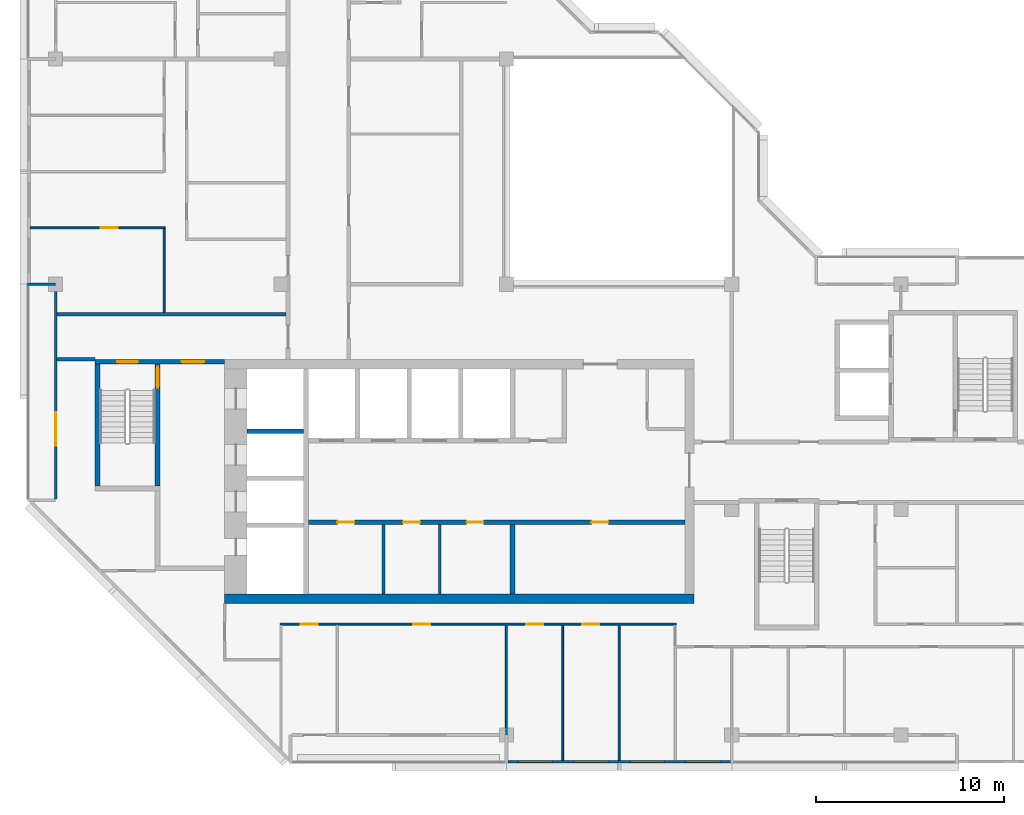
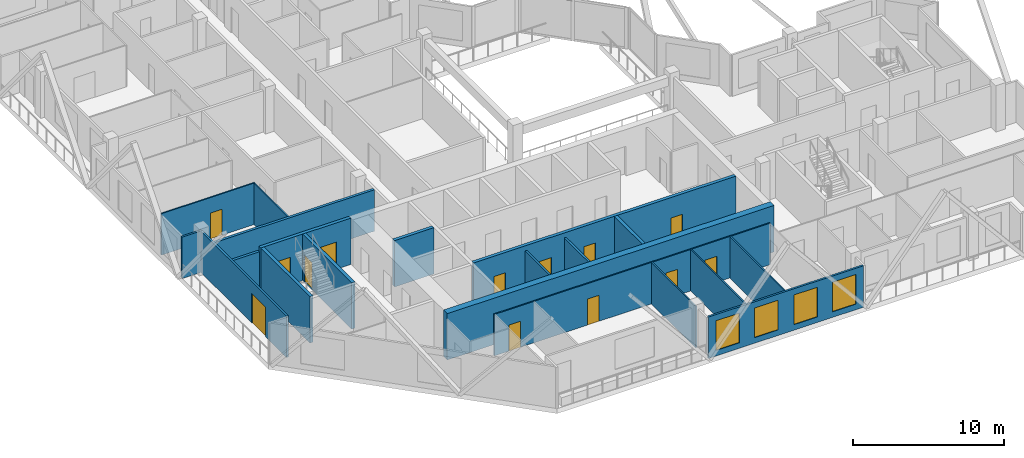
# One storey, part 4 of 12: 20 walls, 13 doors, 4 windows, 17 openings.
"""IFC4 building model written with IfcOpenShell, lengths in metres."""

from ifc_helpers import new_model, si_unit, direction, frame, frame_2d, origin, place, context, subcontext, project, spatial, rectangle, extrude, material, layer, layer_set, type_object, element, fill, save


model = new_model("IFC4")

# Units and contexts
model_context = context("Model", 3, precision=1e-05, world=origin(), true_north=direction((0.0, 1.0)))
body_context = subcontext(model_context, "Body", "Model", "MODEL_VIEW")
ifc_project = project(units=[si_unit("LENGTHUNIT", "METRE"), si_unit("AREAUNIT", "SQUARE_METRE"), si_unit("VOLUMEUNIT", "CUBIC_METRE"), si_unit("PLANEANGLEUNIT", "RADIAN"), si_unit("MASSUNIT", "GRAM", prefix="KILO")], contexts=[model_context])

# Site, building, storey
site_placement = place(None, origin())
site = spatial("IfcSite", under=ifc_project, at=site_placement, CompositionType="ELEMENT")
building_placement = place(site_placement, origin())
building = spatial("IfcBuilding", under=site, at=building_placement, Name="Chenar Terraces", CompositionType="ELEMENT")
storey_placement = place(building_placement, frame((0.0, 0.0, 361.39990234375)))
storey = spatial("IfcBuildingStorey", under=building, at=storey_placement, Name="L84", CompositionType="ELEMENT", Elevation=361.39990234375)

# Walls
ifc_material_1 = material(Name="Gypsum board on steel studs", Category="steel")
ifc_layer_1 = layer(ifc_material_1, 0.14990234375)
ifc_layer_set_1 = layer_set([ifc_layer_1], Name="Gypsum board on steel studs")
wall_type_1 = type_object("IfcWallType", Name="Core partition 150 gypsum board", PredefinedType="PARTITIONING", material=ifc_layer_set_1)
for number, where, z_axis, x_axis, name in (
    (1, (17.449951171875, 7.5, 0.0), (0.0, 0.0, 1.0), (0.0, 1.0, 0.0), "Core partition CP1 freed bay wall"),
    (2, (20.449951171875, 7.5, 0.0), (0.0, 0.0, 1.0), (0.0, 1.0, 0.0), "Core partition CP1 freed bay wall"),
):
    element("IfcWall", number, at=place(storey_placement, frame(where, z_axis=z_axis, x_axis=x_axis)), inside=storey, type_object=wall_type_1, Name=name, PredefinedType="PARTITIONING", context=body_context, shape_type="SweptSolid", body=[
        extrude(rectangle(XDim=3.699951171875, YDim=0.14990234375, at=frame_2d((1.85009765625, 0.0))), origin(), (0.0, 0.0, 1.0), 3.35009765625),
    ])

# Wall, openings, doors
ifc_material_2 = material(Name="Concrete C50/60", Category="concrete")
ifc_layer_2 = layer(ifc_material_2, 0.25)
ifc_layer_set_2 = layer_set([ifc_layer_2], Name="Concrete C50/60")
wall_type_2 = type_object("IfcWallType", Name="Core wall 250 Concrete C50/60", PredefinedType="SHEAR", material=ifc_layer_set_2)
wall_1_placement = place(storey_placement, frame((13.449951171875, 11.324951171875, 0.0), z_axis=(0.0, 0.0, 1.0), x_axis=(1.0, 0.0, 0.0)))
wall_1 = element("IfcWall", 3, at=wall_1_placement, inside=storey, type_object=wall_type_2, Name="Core wall SF L84", PredefinedType="SHEAR", context=body_context, shape_type="SweptSolid", body=[
    extrude(rectangle(XDim=20.050048828125, YDim=0.25, at=frame_2d((10.02490234375, 0.0))), origin(), (0.0, 0.0, 1.0), 3.75),
])
opening_1_placement = place(wall_1_placement, frame((1.550048828125, 0.0, 0.0)))
opening_1 = element("IfcOpeningElement", 4, at=opening_1_placement, cuts=wall_1, Name="Opening DL84-C12", PredefinedType="OPENING", context=body_context, shape_type="SweptSolid", body=[
    extrude(rectangle(XDim=0.89990234375, YDim=2.10009765625, at=frame_2d((0.449951171875, 1.050048828125))), frame((0.0, 0.135009765625, 0.0), z_axis=(0.0, -1.0, 0.0), x_axis=(1.0, 0.0, 0.0)), (0.0, 0.0, 1.0), 0.27001953125),
])
opening_2_placement = place(wall_1_placement, frame((5.050048828125, 0.0, 0.0)))
opening_2 = element("IfcOpeningElement", 5, at=opening_2_placement, cuts=wall_1, Name="Opening DL84-C13", PredefinedType="OPENING", context=body_context, shape_type="SweptSolid", body=[
    extrude(rectangle(XDim=0.89990234375, YDim=2.10009765625, at=frame_2d((0.449951171875, 1.050048828125))), frame((0.0, 0.135009765625, 0.0), z_axis=(0.0, -1.0, 0.0), x_axis=(1.0, 0.0, 0.0)), (0.0, 0.0, 1.0), 0.27001953125),
])
opening_3_placement = place(wall_1_placement, frame((8.425048828125, 0.0, 0.0)))
opening_3 = element("IfcOpeningElement", 6, at=opening_3_placement, cuts=wall_1, Name="Opening DL84-C14", PredefinedType="OPENING", context=body_context, shape_type="SweptSolid", body=[
    extrude(rectangle(XDim=0.89990234375, YDim=2.10009765625, at=frame_2d((0.449951171875, 1.050048828125))), frame((0.0, 0.135009765625, 0.0), z_axis=(0.0, -1.0, 0.0), x_axis=(1.0, 0.0, 0.0)), (0.0, 0.0, 1.0), 0.27001953125),
])
opening_4_placement = place(wall_1_placement, frame((15.074951171875, 0.0, 0.0)))
opening_4 = element("IfcOpeningElement", 7, at=opening_4_placement, cuts=wall_1, Name="Opening DL84-C15", PredefinedType="OPENING", context=body_context, shape_type="SweptSolid", body=[
    extrude(rectangle(XDim=0.89990234375, YDim=2.10009765625, at=frame_2d((0.449951171875, 1.050048828125))), frame((0.0, 0.135009765625, 0.0), z_axis=(0.0, -1.0, 0.0), x_axis=(1.0, 0.0, 0.0)), (0.0, 0.0, 1.0), 0.27001953125),
])
ifc_material_3 = material(Name="Steel-framed fire-resisting door leaf", Category="steel")
door_type_1 = type_object("IfcDoorType", Name="Riser fire door FD60 900 x 2100", OperationType="SINGLE_SWING_LEFT", PredefinedType="DOOR", material=ifc_material_3)
door_1_placement = place(opening_1_placement, frame((0.89990234375, 0.0, 0.0), z_axis=(0.0, 0.0, 1.0), x_axis=(-1.0, 0.0, 0.0)))
door_1 = element("IfcDoor", 8, at=door_1_placement, inside=storey, type_object=door_type_1, Name="Core room door DL84-C12", OperationType="SINGLE_SWING_LEFT", OverallHeight=2.10009765625, OverallWidth=0.89990234375, PredefinedType="DOOR", context=body_context, shape_type="SweptSolid", body=[
    extrude(rectangle(XDim=0.89990234375, YDim=2.10009765625, at=frame_2d((0.449951171875, 1.050048828125))), frame((0.0, 0.02490234375, 0.0), z_axis=(0.0, -1.0, 0.0), x_axis=(1.0, 0.0, 0.0)), (0.0, 0.0, 1.0), 0.050048828125),
])
fill(opening_1, door_1)
door_2_placement = place(opening_2_placement, frame((0.89990234375, 0.0, 0.0), z_axis=(0.0, 0.0, 1.0), x_axis=(-1.0, 0.0, 0.0)))
door_2 = element("IfcDoor", 9, at=door_2_placement, inside=storey, type_object=door_type_1, Name="Core room door DL84-C13", OperationType="SINGLE_SWING_LEFT", OverallHeight=2.10009765625, OverallWidth=0.89990234375, PredefinedType="DOOR", context=body_context, shape_type="SweptSolid", body=[
    extrude(rectangle(XDim=0.89990234375, YDim=2.10009765625, at=frame_2d((0.449951171875, 1.050048828125))), frame((0.0, 0.02490234375, 0.0), z_axis=(0.0, -1.0, 0.0), x_axis=(1.0, 0.0, 0.0)), (0.0, 0.0, 1.0), 0.050048828125),
])
fill(opening_2, door_2)
door_3_placement = place(opening_3_placement, frame((0.89990234375, 0.0, 0.0), z_axis=(0.0, 0.0, 1.0), x_axis=(-1.0, 0.0, 0.0)))
door_3 = element("IfcDoor", 10, at=door_3_placement, inside=storey, type_object=door_type_1, Name="Core room door DL84-C14", OperationType="SINGLE_SWING_RIGHT", OverallHeight=2.10009765625, OverallWidth=0.89990234375, PredefinedType="DOOR", context=body_context, shape_type="SweptSolid", body=[
    extrude(rectangle(XDim=0.89990234375, YDim=2.10009765625, at=frame_2d((0.449951171875, 1.050048828125))), frame((0.0, 0.02490234375, 0.0), z_axis=(0.0, -1.0, 0.0), x_axis=(1.0, 0.0, 0.0)), (0.0, 0.0, 1.0), 0.050048828125),
])
fill(opening_3, door_3)
door_4_placement = place(opening_4_placement, frame((0.89990234375, 0.0, 0.0), z_axis=(0.0, 0.0, 1.0), x_axis=(-1.0, 0.0, 0.0)))
door_4 = element("IfcDoor", 11, at=door_4_placement, inside=storey, type_object=door_type_1, Name="Core room door DL84-C15", OperationType="SINGLE_SWING_RIGHT", OverallHeight=2.10009765625, OverallWidth=0.89990234375, PredefinedType="DOOR", context=body_context, shape_type="SweptSolid", body=[
    extrude(rectangle(XDim=0.89990234375, YDim=2.10009765625, at=frame_2d((0.449951171875, 1.050048828125))), frame((0.0, 0.02490234375, 0.0), z_axis=(0.0, -1.0, 0.0), x_axis=(1.0, 0.0, 0.0)), (0.0, 0.0, 1.0), 0.050048828125),
])
fill(opening_4, door_4)

# Walls
wall_2_placement = place(storey_placement, frame((10.199951171875, 16.175048828125, 0.0), z_axis=(0.0, 0.0, 1.0), x_axis=(1.0, 0.0, 0.0)))
element("IfcWall", 12, at=wall_2_placement, inside=storey, type_object=wall_type_2, Name="Core wall HW2 L84", PredefinedType="SHEAR", context=body_context, shape_type="SweptSolid", body=[
    extrude(rectangle(XDim=3.0, YDim=0.25, at=frame_2d((1.5, 0.0))), origin(), (0.0, 0.0, 1.0), 3.75),
])
wall_3_placement = place(storey_placement, frame((24.324951171875, 7.5, 0.0), z_axis=(0.0, 0.0, 1.0), x_axis=(0.0, 1.0, 0.0)))
element("IfcWall", 13, at=wall_3_placement, inside=storey, type_object=wall_type_2, Name="Core wall SS3 L84", PredefinedType="SHEAR", context=body_context, shape_type="SweptSolid", body=[
    extrude(rectangle(XDim=3.699951171875, YDim=0.25, at=frame_2d((1.85009765625, 0.0))), origin(), (0.0, 0.0, 1.0), 3.75),
])

# Wall, openings, doors
wall_4_placement = place(storey_placement, frame((2.10009765625, 19.875, 0.0), z_axis=(0.0, 0.0, 1.0), x_axis=(1.0, 0.0, 0.0)))
wall_4 = element("IfcWall", 14, at=wall_4_placement, inside=storey, type_object=wall_type_2, Name="Core wall A_N L84", PredefinedType="SHEAR", context=body_context, shape_type="SweptSolid", body=[
    extrude(rectangle(XDim=6.89990234375, YDim=0.25, at=frame_2d((3.449951171875, 0.0))), origin(), (0.0, 0.0, 1.0), 3.75),
])
opening_5_placement = place(wall_4_placement, frame((1.175048828125, 0.0, 0.0)))
opening_5 = element("IfcOpeningElement", 15, at=opening_5_placement, cuts=wall_4, Name="Opening DL84-C5", PredefinedType="OPENING", context=body_context, shape_type="SweptSolid", body=[
    extrude(rectangle(XDim=1.10009765625, YDim=2.199951171875, at=frame_2d((0.550048828125, 1.10009765625))), frame((0.0, 0.135009765625, 0.0), z_axis=(0.0, -1.0, 0.0), x_axis=(1.0, 0.0, 0.0)), (0.0, 0.0, 1.0), 0.27001953125),
])
opening_6_placement = place(wall_4_placement, frame((4.60009765625, 0.0, 0.0)))
opening_6 = element("IfcOpeningElement", 16, at=opening_6_placement, cuts=wall_4, Name="Opening DL84-C6", PredefinedType="OPENING", context=body_context, shape_type="SweptSolid", body=[
    extrude(rectangle(XDim=1.199951171875, YDim=2.199951171875, at=frame_2d((0.60009765625, 1.10009765625))), frame((0.0, 0.135009765625, 0.0), z_axis=(0.0, -1.0, 0.0), x_axis=(1.0, 0.0, 0.0)), (0.0, 0.0, 1.0), 0.27001953125),
])
ifc_material_4 = material(Name="Steel-framed fire-resisting door leaf", Category="steel")
door_type_2 = type_object("IfcDoorType", Name="Lobby fire door FD60 1200 x 2200", OperationType="SINGLE_SWING_LEFT", PredefinedType="DOOR", material=ifc_material_4)
door_5_placement = place(opening_6_placement, frame((1.199951171875, 0.0, 0.0), z_axis=(0.0, 0.0, 1.0), x_axis=(-1.0, 0.0, 0.0)))
door_5 = element("IfcDoor", 17, at=door_5_placement, inside=storey, type_object=door_type_2, Name="Core door DL84-C6", OperationType="SINGLE_SWING_LEFT", OverallHeight=2.199951171875, OverallWidth=1.199951171875, PredefinedType="DOOR", context=body_context, shape_type="SweptSolid", body=[
    extrude(rectangle(XDim=1.199951171875, YDim=2.199951171875, at=frame_2d((0.60009765625, 1.10009765625))), frame((0.0, 0.02490234375, 0.0), z_axis=(0.0, -1.0, 0.0), x_axis=(1.0, 0.0, 0.0)), (0.0, 0.0, 1.0), 0.050048828125),
])
fill(opening_6, door_5)
ifc_material_5 = material(Name="Steel-framed fire-resisting door leaf", Category="steel")
door_type_3 = type_object("IfcDoorType", Name="Stair fire door FD60 1100 x 2200", OperationType="SINGLE_SWING_LEFT", PredefinedType="DOOR", material=ifc_material_5)
door_6_placement = place(opening_5_placement, origin())
door_6 = element("IfcDoor", 18, at=door_6_placement, inside=storey, type_object=door_type_3, Name="Stair door DL84-C5", OperationType="SINGLE_SWING_LEFT", OverallHeight=2.199951171875, OverallWidth=1.10009765625, PredefinedType="DOOR", context=body_context, shape_type="SweptSolid", body=[
    extrude(rectangle(XDim=1.10009765625, YDim=2.199951171875, at=frame_2d((0.550048828125, 1.10009765625))), frame((0.0, 0.02490234375, 0.0), z_axis=(0.0, -1.0, 0.0), x_axis=(1.0, 0.0, 0.0)), (0.0, 0.0, 1.0), 0.050048828125),
])
fill(opening_5, door_6)

# Wall
wall_5_placement = place(storey_placement, frame((2.22509765625, 13.25, 0.0), z_axis=(0.0, 0.0, 1.0), x_axis=(0.0, 1.0, 0.0)))
element("IfcWall", 19, at=wall_5_placement, inside=storey, type_object=wall_type_2, Name="Core wall ST1_W L84", PredefinedType="SHEAR", context=body_context, shape_type="SweptSolid", body=[
    extrude(rectangle(XDim=6.5, YDim=0.25, at=frame_2d((3.25, 0.0))), origin(), (0.0, 0.0, 1.0), 3.75),
])

# Wall, opening, door
wall_6_placement = place(storey_placement, frame((5.425048828125, 13.25, 0.0), z_axis=(0.0, 0.0, 1.0), x_axis=(0.0, 1.0, 0.0)))
wall_6 = element("IfcWall", 20, at=wall_6_placement, inside=storey, type_object=wall_type_2, Name="Core wall ST1_E L84", PredefinedType="SHEAR", context=body_context, shape_type="SweptSolid", body=[
    extrude(rectangle(XDim=6.5, YDim=0.25, at=frame_2d((3.25, 0.0))), origin(), (0.0, 0.0, 1.0), 3.75),
])
opening_7_placement = place(wall_6_placement, frame((5.25, 0.0, 0.0)))
opening_7 = element("IfcOpeningElement", 21, at=opening_7_placement, cuts=wall_6, Name="Opening DL84-C3", PredefinedType="OPENING", context=body_context, shape_type="SweptSolid", body=[
    extrude(rectangle(XDim=1.10009765625, YDim=2.199951171875, at=frame_2d((0.550048828125, 1.10009765625))), frame((0.0, 0.135009765625, 0.0), z_axis=(0.0, -1.0, 0.0), x_axis=(1.0, 0.0, 0.0)), (0.0, 0.0, 1.0), 0.27001953125),
])
door_7_placement = place(opening_7_placement, origin())
door_7 = element("IfcDoor", 22, at=door_7_placement, inside=storey, type_object=door_type_3, Name="Stair door DL84-C3", OperationType="SINGLE_SWING_RIGHT", OverallHeight=2.199951171875, OverallWidth=1.10009765625, PredefinedType="DOOR", context=body_context, shape_type="SweptSolid", body=[
    extrude(rectangle(XDim=1.10009765625, YDim=2.199951171875, at=frame_2d((0.550048828125, 1.10009765625))), frame((0.0, 0.02490234375, 0.0), z_axis=(0.0, -1.0, 0.0), x_axis=(1.0, 0.0, 0.0)), (0.0, 0.0, 1.0), 0.050048828125),
])
fill(opening_7, door_7)

# Walls
ifc_material_6 = material(Name="Concrete C50/60", Category="concrete")
ifc_layer_3 = layer(ifc_material_6, 0.5)
ifc_layer_set_3 = layer_set([ifc_layer_3], Name="Concrete C50/60")
wall_type_3 = type_object("IfcWallType", Name="Core wall 500 Concrete C50/60", PredefinedType="SHEAR", material=ifc_layer_set_3)
wall_7_placement = place(storey_placement, frame((9.0, 7.25, 0.0), z_axis=(0.0, 0.0, 1.0), x_axis=(1.0, 0.0, 0.0)))
element("IfcWall", 23, at=wall_7_placement, inside=storey, type_object=wall_type_3, Name="Core wall S L84", PredefinedType="SHEAR", context=body_context, shape_type="SweptSolid", body=[
    extrude(rectangle(XDim=25.0, YDim=0.5, at=frame_2d((12.5, 0.0))), origin(), (0.0, 0.0, 1.0), 3.75),
])
ifc_material_7 = material(Name="Gypsum board on steel studs with fire boards", Category="steel")
ifc_layer_4 = layer(ifc_material_7, 0.199951171875)
ifc_layer_set_4 = layer_set([ifc_layer_4], Name="Gypsum board on steel studs with fire boards")
wall_type_4 = type_object("IfcWallType", Name="Corridor wall 200", PredefinedType="PARTITIONING", material=ifc_layer_set_4)
wall_8_placement = place(storey_placement, frame((0.073974609375, 20.0, 0.0), z_axis=(0.0, 0.0, 1.0), x_axis=(1.0, 0.0, 0.0)))
element("IfcWall", 24, at=wall_8_placement, inside=storey, type_object=wall_type_4, Name="Partition L84-007", PredefinedType="PARTITIONING", context=body_context, shape_type="SweptSolid", body=[
    extrude(rectangle(XDim=2.026123046875, YDim=0.199951171875, at=frame_2d((1.01318359375, 0.0))), origin(), (0.0, 0.0, 1.0), 3.35009765625),
])
wall_9_placement = place(storey_placement, frame((0.073974609375, 22.39990234375, 0.0), z_axis=(0.0, 0.0, 1.0), x_axis=(1.0, 0.0, 0.0)))
element("IfcWall", 25, at=wall_9_placement, inside=storey, type_object=wall_type_4, Name="Partition L84-008", PredefinedType="PARTITIONING", context=body_context, shape_type="SweptSolid", body=[
    extrude(rectangle(XDim=12.200927734375, YDim=0.199951171875, at=frame_2d((6.1005859375, 0.0))), origin(), (0.0, 0.0, 1.0), 3.35009765625),
])

# Wall, openings, windows
ifc_material_8 = material(Name="Aluminium framed glazing", Category="aluminium")
ifc_layer_5 = layer(ifc_material_8, 0.14990234375)
ifc_layer_set_5 = layer_set([ifc_layer_5], Name="Aluminium framed glazing")
wall_type_5 = type_object("IfcWallType", Name="Glazed flush facade wall 150", PredefinedType="SOLIDWALL", material=ifc_layer_set_5)
wall_10_placement = place(storey_placement, frame((24.074951171875, -1.425048828125, 0.0), z_axis=(0.0, 0.0, 1.0), x_axis=(1.0, 0.0, 0.0)))
wall_10 = element("IfcWall", 26, at=wall_10_placement, inside=storey, type_object=wall_type_5, Name="Glazed flush facade wall", PredefinedType="SOLIDWALL", context=body_context, shape_type="SweptSolid", body=[
    extrude(rectangle(XDim=11.85009765625, YDim=0.14990234375, at=frame_2d((5.925048828125, 0.0))), origin(), (0.0, 0.0, 1.0), 3.35009765625),
])
opening_8_placement = place(wall_10_placement, frame((0.5625, 0.0, 0.449951171875)))
opening_8 = element("IfcOpeningElement", 27, at=opening_8_placement, cuts=wall_10, Name="Opening W180x240", PredefinedType="OPENING", context=body_context, shape_type="SweptSolid", body=[
    extrude(rectangle(XDim=1.800048828125, YDim=2.39990234375, at=frame_2d((0.89990234375, 1.199951171875))), frame((0.0, 0.0849609375, 0.0), z_axis=(0.0, -1.0, 0.0), x_axis=(1.0, 0.0, 0.0)), (0.0, 0.0, 1.0), 0.169921875),
])
opening_9_placement = place(wall_10_placement, frame((3.52490234375, 0.0, 0.449951171875)))
opening_9 = element("IfcOpeningElement", 28, at=opening_9_placement, cuts=wall_10, Name="Opening W180x240", PredefinedType="OPENING", context=body_context, shape_type="SweptSolid", body=[
    extrude(rectangle(XDim=1.800048828125, YDim=2.39990234375, at=frame_2d((0.89990234375, 1.199951171875))), frame((0.0, 0.0849609375, 0.0), z_axis=(0.0, -1.0, 0.0), x_axis=(1.0, 0.0, 0.0)), (0.0, 0.0, 1.0), 0.169921875),
])
opening_10_placement = place(wall_10_placement, frame((6.52490234375, 0.0, 0.449951171875)))
opening_10 = element("IfcOpeningElement", 29, at=opening_10_placement, cuts=wall_10, Name="Opening W180x240", PredefinedType="OPENING", context=body_context, shape_type="SweptSolid", body=[
    extrude(rectangle(XDim=1.800048828125, YDim=2.39990234375, at=frame_2d((0.89990234375, 1.199951171875))), frame((0.0, 0.0849609375, 0.0), z_axis=(0.0, -1.0, 0.0), x_axis=(1.0, 0.0, 0.0)), (0.0, 0.0, 1.0), 0.169921875),
])
opening_11_placement = place(wall_10_placement, frame((9.487548828125, 0.0, 0.449951171875)))
opening_11 = element("IfcOpeningElement", 30, at=opening_11_placement, cuts=wall_10, Name="Opening W180x240", PredefinedType="OPENING", context=body_context, shape_type="SweptSolid", body=[
    extrude(rectangle(XDim=1.800048828125, YDim=2.39990234375, at=frame_2d((0.89990234375, 1.199951171875))), frame((0.0, 0.0849609375, 0.0), z_axis=(0.0, -1.0, 0.0), x_axis=(1.0, 0.0, 0.0)), (0.0, 0.0, 1.0), 0.169921875),
])
ifc_material_9 = material(Name="Low emissivity double glazing, aluminium frame", Category="aluminium")
window_type = type_object("IfcWindowType", Name="Fixed light 1800 x 2400", PartitioningType="SINGLE_PANEL", PredefinedType="WINDOW", material=ifc_material_9)
window_1_placement = place(opening_8_placement, origin())
window_1 = element("IfcWindow", 31, at=window_1_placement, inside=storey, type_object=window_type, Name="Window", OverallHeight=2.39990234375, OverallWidth=1.800048828125, PartitioningType="SINGLE_PANEL", PredefinedType="WINDOW", context=body_context, shape_type="SweptSolid", body=[
    extrude(rectangle(XDim=1.800048828125, YDim=2.39990234375, at=frame_2d((0.89990234375, 1.199951171875))), frame((0.0, 0.030029296875, 0.0), z_axis=(0.0, -1.0, 0.0), x_axis=(1.0, 0.0, 0.0)), (0.0, 0.0, 1.0), 0.06005859375),
])
fill(opening_8, window_1)
window_2_placement = place(opening_9_placement, origin())
window_2 = element("IfcWindow", 32, at=window_2_placement, inside=storey, type_object=window_type, Name="Window", OverallHeight=2.39990234375, OverallWidth=1.800048828125, PartitioningType="SINGLE_PANEL", PredefinedType="WINDOW", context=body_context, shape_type="SweptSolid", body=[
    extrude(rectangle(XDim=1.800048828125, YDim=2.39990234375, at=frame_2d((0.89990234375, 1.199951171875))), frame((0.0, 0.030029296875, 0.0), z_axis=(0.0, -1.0, 0.0), x_axis=(1.0, 0.0, 0.0)), (0.0, 0.0, 1.0), 0.06005859375),
])
fill(opening_9, window_2)
window_3_placement = place(opening_10_placement, origin())
window_3 = element("IfcWindow", 33, at=window_3_placement, inside=storey, type_object=window_type, Name="Window", OverallHeight=2.39990234375, OverallWidth=1.800048828125, PartitioningType="SINGLE_PANEL", PredefinedType="WINDOW", context=body_context, shape_type="SweptSolid", body=[
    extrude(rectangle(XDim=1.800048828125, YDim=2.39990234375, at=frame_2d((0.89990234375, 1.199951171875))), frame((0.0, 0.030029296875, 0.0), z_axis=(0.0, -1.0, 0.0), x_axis=(1.0, 0.0, 0.0)), (0.0, 0.0, 1.0), 0.06005859375),
])
fill(opening_10, window_3)
window_4_placement = place(opening_11_placement, origin())
window_4 = element("IfcWindow", 34, at=window_4_placement, inside=storey, type_object=window_type, Name="Window", OverallHeight=2.39990234375, OverallWidth=1.800048828125, PartitioningType="SINGLE_PANEL", PredefinedType="WINDOW", context=body_context, shape_type="SweptSolid", body=[
    extrude(rectangle(XDim=1.800048828125, YDim=2.39990234375, at=frame_2d((0.89990234375, 1.199951171875))), frame((0.0, 0.030029296875, 0.0), z_axis=(0.0, -1.0, 0.0), x_axis=(1.0, 0.0, 0.0)), (0.0, 0.0, 1.0), 0.06005859375),
])
fill(opening_11, window_4)

# Wall, opening, door
ifc_material_10 = material(Name="Aluminium framed glazing", Category="aluminium")
ifc_layer_6 = layer(ifc_material_10, 0.14990234375)
ifc_layer_set_6 = layer_set([ifc_layer_6], Name="Aluminium framed glazing")
wall_type_6 = type_object("IfcWallType", Name="Glazed loggia back wall 150", PredefinedType="SOLIDWALL", material=ifc_layer_set_6)
wall_11_placement = place(storey_placement, frame((0.0, 23.925048828125, 0.0), z_axis=(0.0, 0.0, 1.0), x_axis=(0.0, -1.0, 0.0)))
wall_11 = element("IfcWall", 35, at=wall_11_placement, inside=storey, type_object=wall_type_6, Name="Glazed loggia back wall", PredefinedType="SOLIDWALL", context=body_context, shape_type="SweptSolid", body=[
    extrude(rectangle(XDim=11.35009765625, YDim=0.14990234375, at=frame_2d((5.675048828125, 0.0))), origin(), (0.0, 0.0, 1.0), 3.35009765625),
])
opening_12_placement = place(wall_11_placement, frame((6.737548828125, 0.0, 0.0)))
opening_12 = element("IfcOpeningElement", 36, at=opening_12_placement, cuts=wall_11, Name="Opening DL84-G2", PredefinedType="OPENING", context=body_context, shape_type="SweptSolid", body=[
    extrude(rectangle(XDim=1.800048828125, YDim=2.39990234375, at=frame_2d((0.89990234375, 1.199951171875))), frame((0.0, 0.0849609375, 0.0), z_axis=(0.0, -1.0, 0.0), x_axis=(1.0, 0.0, 0.0)), (0.0, 0.0, 1.0), 0.169921875),
])
ifc_material_11 = material(Name="Low emissivity double glazing, aluminium frame", Category="aluminium")
door_type_4 = type_object("IfcDoorType", Name="Loggia glazed double door 1800 x 2400", OperationType="DOUBLE_DOOR_SINGLE_SWING", PredefinedType="DOOR", material=ifc_material_11)
door_8_placement = place(opening_12_placement, frame((1.800048828125, 0.0, 0.0), z_axis=(0.0, 0.0, 1.0), x_axis=(-1.0, 0.0, 0.0)))
door_8 = element("IfcDoor", 37, at=door_8_placement, inside=storey, type_object=door_type_4, Name="Loggia glazed door", OperationType="DOUBLE_DOOR_SINGLE_SWING", OverallHeight=2.39990234375, OverallWidth=1.800048828125, PredefinedType="DOOR", context=body_context, shape_type="SweptSolid", body=[
    extrude(rectangle(XDim=1.800048828125, YDim=2.39990234375, at=frame_2d((0.89990234375, 1.199951171875))), frame((0.0, 0.02490234375, 0.0), z_axis=(0.0, -1.0, 0.0), x_axis=(1.0, 0.0, 0.0)), (0.0, 0.0, 1.0), 0.050048828125),
])
fill(opening_12, door_8)

ifc_material_12 = material(Name="Gypsum board on steel studs", Category="steel")
ifc_layer_7 = layer(ifc_material_12, 0.10009765625)
ifc_layer_set_7 = layer_set([ifc_layer_7], Name="Gypsum board on steel studs")
wall_type_7 = type_object("IfcWallType", Name="Gypsum partition 100", PredefinedType="PARTITIONING", material=ifc_layer_set_7)
wall_12_placement = place(storey_placement, frame((-1.35009765625, 27.0, 0.0), z_axis=(0.0, 0.0, 1.0), x_axis=(1.0, 0.0, 0.0)))
wall_12 = element("IfcWall", 38, at=wall_12_placement, inside=storey, type_object=wall_type_7, Name="Partition L84-001", PredefinedType="PARTITIONING", context=body_context, shape_type="SweptSolid", body=[
    extrude(rectangle(XDim=7.175048828125, YDim=0.10009765625, at=frame_2d((3.58740234375, 0.0))), origin(), (0.0, 0.0, 1.0), 3.35009765625),
])
opening_13_placement = place(wall_12_placement, frame((3.75, 0.0, 0.0)))
opening_13 = element("IfcOpeningElement", 39, at=opening_13_placement, cuts=wall_12, Name="Opening DL84-41", PredefinedType="OPENING", context=body_context, shape_type="SweptSolid", body=[
    extrude(rectangle(XDim=0.89990234375, YDim=2.10009765625, at=frame_2d((0.449951171875, 1.050048828125))), frame((0.0, 0.06005859375, 0.0), z_axis=(0.0, -1.0, 0.0), x_axis=(1.0, 0.0, 0.0)), (0.0, 0.0, 1.0), 0.1201171875),
])
ifc_material_13 = material(Name="Veneered timber door leaf", Category="wood")
door_type_5 = type_object("IfcDoorType", Name="Door 900 x 2100", OperationType="SINGLE_SWING_LEFT", PredefinedType="DOOR", material=ifc_material_13)
door_9_placement = place(opening_13_placement, frame((0.89990234375, 0.0, 0.0), z_axis=(0.0, 0.0, 1.0), x_axis=(-1.0, 0.0, 0.0)))
door_9 = element("IfcDoor", 40, at=door_9_placement, inside=storey, type_object=door_type_5, Name="Door DL84-41", OperationType="SINGLE_SWING_LEFT", OverallHeight=2.10009765625, OverallWidth=0.89990234375, PredefinedType="DOOR", context=body_context, shape_type="SweptSolid", body=[
    extrude(rectangle(XDim=0.89990234375, YDim=2.10009765625, at=frame_2d((0.449951171875, 1.050048828125))), frame((0.0, 0.02490234375, 0.0), z_axis=(0.0, -1.0, 0.0), x_axis=(1.0, 0.0, 0.0)), (0.0, 0.0, 1.0), 0.050048828125),
])
fill(opening_13, door_9)

# Wall
wall_13_placement = place(storey_placement, frame((5.77490234375, 22.5, 0.0), z_axis=(0.0, 0.0, 1.0), x_axis=(0.0, 1.0, 0.0)))
element("IfcWall", 41, at=wall_13_placement, inside=storey, type_object=wall_type_7, Name="Partition L84-012", PredefinedType="PARTITIONING", context=body_context, shape_type="SweptSolid", body=[
    extrude(rectangle(XDim=4.449951171875, YDim=0.10009765625, at=frame_2d((2.22509765625, 0.0))), origin(), (0.0, 0.0, 1.0), 3.35009765625),
])

# Wall, openings, doors
wall_14_placement = place(storey_placement, frame((11.949951171875, 5.89990234375, 0.0), z_axis=(0.0, 0.0, 1.0), x_axis=(1.0, 0.0, 0.0)))
wall_14 = element("IfcWall", 42, at=wall_14_placement, inside=storey, type_object=wall_type_7, Name="Partition L84-028", PredefinedType="PARTITIONING", context=body_context, shape_type="SweptSolid", body=[
    extrude(rectangle(XDim=21.10009765625, YDim=0.10009765625, at=frame_2d((10.550048828125, 0.0))), origin(), (0.0, 0.0, 1.0), 3.35009765625),
])
opening_14_placement = place(wall_14_placement, frame((1.10009765625, 0.0, 0.0)))
opening_14 = element("IfcOpeningElement", 43, at=opening_14_placement, cuts=wall_14, Name="Opening DL84-25", PredefinedType="OPENING", context=body_context, shape_type="SweptSolid", body=[
    extrude(rectangle(XDim=0.89990234375, YDim=2.10009765625, at=frame_2d((0.449951171875, 1.050048828125))), frame((0.0, 0.06005859375, 0.0), z_axis=(0.0, -1.0, 0.0), x_axis=(1.0, 0.0, 0.0)), (0.0, 0.0, 1.0), 0.1201171875),
])
opening_15_placement = place(wall_14_placement, frame((13.10009765625, 0.0, 0.0)))
opening_15 = element("IfcOpeningElement", 44, at=opening_15_placement, cuts=wall_14, Name="Opening DL84-26", PredefinedType="OPENING", context=body_context, shape_type="SweptSolid", body=[
    extrude(rectangle(XDim=0.89990234375, YDim=2.10009765625, at=frame_2d((0.449951171875, 1.050048828125))), frame((0.0, 0.06005859375, 0.0), z_axis=(0.0, -1.0, 0.0), x_axis=(1.0, 0.0, 0.0)), (0.0, 0.0, 1.0), 0.1201171875),
])
opening_16_placement = place(wall_14_placement, frame((16.10009765625, 0.0, 0.0)))
opening_16 = element("IfcOpeningElement", 45, at=opening_16_placement, cuts=wall_14, Name="Opening DL84-27", PredefinedType="OPENING", context=body_context, shape_type="SweptSolid", body=[
    extrude(rectangle(XDim=0.89990234375, YDim=2.10009765625, at=frame_2d((0.449951171875, 1.050048828125))), frame((0.0, 0.06005859375, 0.0), z_axis=(0.0, -1.0, 0.0), x_axis=(1.0, 0.0, 0.0)), (0.0, 0.0, 1.0), 0.1201171875),
])
opening_17_placement = place(wall_14_placement, frame((7.10009765625, 0.0, 0.0)))
opening_17 = element("IfcOpeningElement", 46, at=opening_17_placement, cuts=wall_14, Name="Opening DL84-38", PredefinedType="OPENING", context=body_context, shape_type="SweptSolid", body=[
    extrude(rectangle(XDim=0.89990234375, YDim=2.10009765625, at=frame_2d((0.449951171875, 1.050048828125))), frame((0.0, 0.06005859375, 0.0), z_axis=(0.0, -1.0, 0.0), x_axis=(1.0, 0.0, 0.0)), (0.0, 0.0, 1.0), 0.1201171875),
])
door_10_placement = place(opening_14_placement, frame((0.89990234375, 0.0, 0.0), z_axis=(0.0, 0.0, 1.0), x_axis=(-1.0, 0.0, 0.0)))
door_10 = element("IfcDoor", 47, at=door_10_placement, inside=storey, type_object=door_type_5, Name="Door DL84-25", OperationType="SINGLE_SWING_RIGHT", OverallHeight=2.10009765625, OverallWidth=0.89990234375, PredefinedType="DOOR", context=body_context, shape_type="SweptSolid", body=[
    extrude(rectangle(XDim=0.89990234375, YDim=2.10009765625, at=frame_2d((0.449951171875, 1.050048828125))), frame((0.0, 0.02490234375, 0.0), z_axis=(0.0, -1.0, 0.0), x_axis=(1.0, 0.0, 0.0)), (0.0, 0.0, 1.0), 0.050048828125),
])
fill(opening_14, door_10)
door_11_placement = place(opening_15_placement, frame((0.89990234375, 0.0, 0.0), z_axis=(0.0, 0.0, 1.0), x_axis=(-1.0, 0.0, 0.0)))
door_11 = element("IfcDoor", 48, at=door_11_placement, inside=storey, type_object=door_type_5, Name="Door DL84-26", OperationType="SINGLE_SWING_RIGHT", OverallHeight=2.10009765625, OverallWidth=0.89990234375, PredefinedType="DOOR", context=body_context, shape_type="SweptSolid", body=[
    extrude(rectangle(XDim=0.89990234375, YDim=2.10009765625, at=frame_2d((0.449951171875, 1.050048828125))), frame((0.0, 0.02490234375, 0.0), z_axis=(0.0, -1.0, 0.0), x_axis=(1.0, 0.0, 0.0)), (0.0, 0.0, 1.0), 0.050048828125),
])
fill(opening_15, door_11)
door_12_placement = place(opening_16_placement, frame((0.89990234375, 0.0, 0.0), z_axis=(0.0, 0.0, 1.0), x_axis=(-1.0, 0.0, 0.0)))
door_12 = element("IfcDoor", 49, at=door_12_placement, inside=storey, type_object=door_type_5, Name="Door DL84-27", OperationType="SINGLE_SWING_RIGHT", OverallHeight=2.10009765625, OverallWidth=0.89990234375, PredefinedType="DOOR", context=body_context, shape_type="SweptSolid", body=[
    extrude(rectangle(XDim=0.89990234375, YDim=2.10009765625, at=frame_2d((0.449951171875, 1.050048828125))), frame((0.0, 0.02490234375, 0.0), z_axis=(0.0, -1.0, 0.0), x_axis=(1.0, 0.0, 0.0)), (0.0, 0.0, 1.0), 0.050048828125),
])
fill(opening_16, door_12)
door_13_placement = place(opening_17_placement, frame((0.89990234375, 0.0, 0.0), z_axis=(0.0, 0.0, 1.0), x_axis=(-1.0, 0.0, 0.0)))
door_13 = element("IfcDoor", 50, at=door_13_placement, inside=storey, type_object=door_type_5, Name="Door DL84-38", OperationType="SINGLE_SWING_RIGHT", OverallHeight=2.10009765625, OverallWidth=0.89990234375, PredefinedType="DOOR", context=body_context, shape_type="SweptSolid", body=[
    extrude(rectangle(XDim=0.89990234375, YDim=2.10009765625, at=frame_2d((0.449951171875, 1.050048828125))), frame((0.0, 0.02490234375, 0.0), z_axis=(0.0, -1.0, 0.0), x_axis=(1.0, 0.0, 0.0)), (0.0, 0.0, 1.0), 0.050048828125),
])
fill(opening_17, door_13)

# Walls
wall_15_placement = place(storey_placement, frame((24.0, 0.0, 0.0), z_axis=(0.0, 0.0, 1.0), x_axis=(0.0, 1.0, 0.0)))
element("IfcWall", 51, at=wall_15_placement, inside=storey, type_object=wall_type_7, Name="Partition L84-046", PredefinedType="PARTITIONING", context=body_context, shape_type="SweptSolid", body=[
    extrude(rectangle(XDim=5.85009765625, YDim=0.10009765625, at=frame_2d((2.925048828125, 0.0))), origin(), (0.0, 0.0, 1.0), 3.35009765625),
])
for number, where, z_axis, x_axis, name in (
    (52, (27.0, -1.35107421875, 0.0), (0.0, 0.0, 1.0), (0.0, 1.0, 0.0), "Partition L84-047"),
    (53, (30.0, -1.35107421875, 0.0), (0.0, 0.0, 1.0), (0.0, 1.0, 0.0), "Partition L84-048"),
):
    element("IfcWall", number, at=place(storey_placement, frame(where, z_axis=z_axis, x_axis=x_axis)), inside=storey, type_object=wall_type_7, Name=name, PredefinedType="PARTITIONING", context=body_context, shape_type="SweptSolid", body=[
        extrude(rectangle(XDim=7.201171875, YDim=0.10009765625, at=frame_2d((3.6005859375, 0.0))), origin(), (0.0, 0.0, 1.0), 3.35009765625),
    ])
ifc_material_14 = material(Name="Terracotta cladding on insulated backing", Category="masonry")
ifc_layer_8 = layer(ifc_material_14, 0.14990234375)
ifc_layer_set_8 = layer_set([ifc_layer_8], Name="Terracotta cladding on insulated backing")
wall_type_8 = type_object("IfcWallType", Name="Loggia return wall 150", PredefinedType="SOLIDWALL", material=ifc_layer_set_8)
wall_16_placement = place(storey_placement, frame((-1.5, 24.0, 0.0), z_axis=(0.0, 0.0, 1.0), x_axis=(1.0, 0.0, 0.0)))
element("IfcWall", 54, at=wall_16_placement, inside=storey, type_object=wall_type_8, Name="Loggia return wall", PredefinedType="SOLIDWALL", context=body_context, shape_type="SweptSolid", body=[
    extrude(rectangle(XDim=1.5, YDim=0.14990234375, at=frame_2d((0.75, 0.0))), origin(), (0.0, 0.0, 1.0), 3.35009765625),
])

save(model, "model.ifc")
